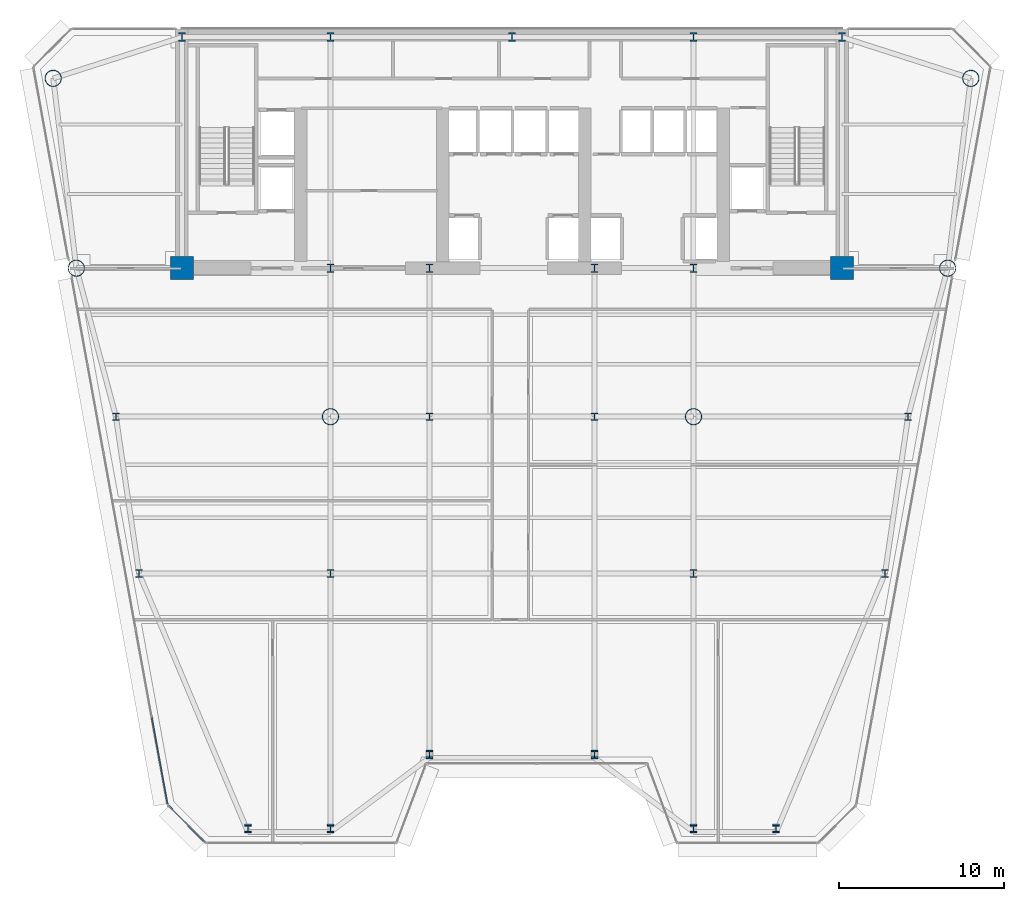
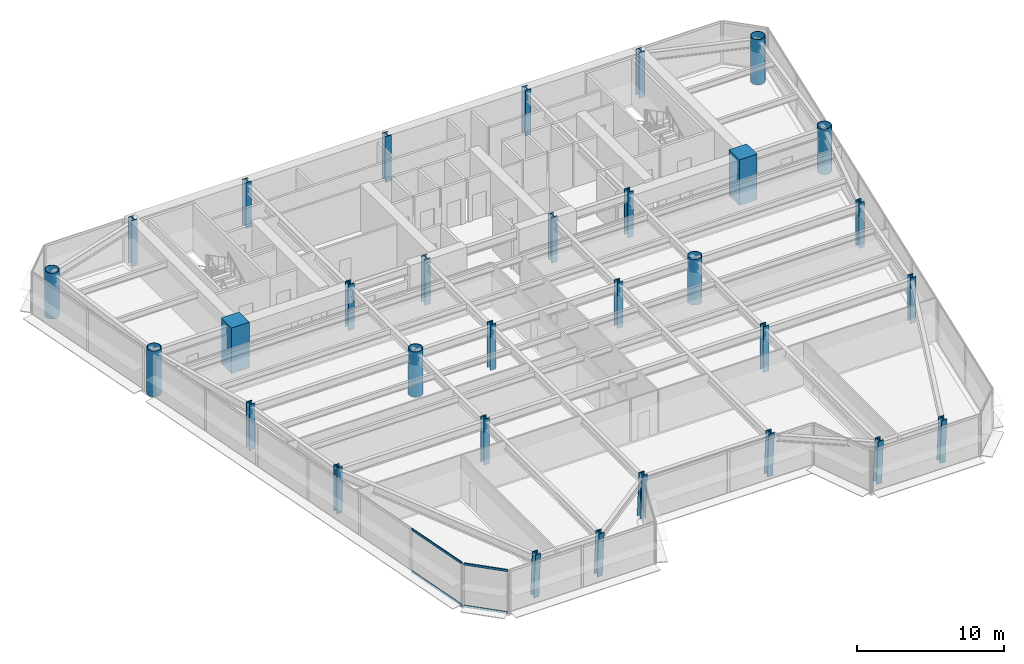
# One storey, part 1 of 14: 31 columns, 4 members, 2 elements without a shape of their own.
"""IFC4 building model written with IfcOpenShell, lengths in metres."""

from ifc_helpers import new_model, si_unit, direction, frame, origin, origin_2d, place, context, subcontext, project, spatial, rectangle, hollow_circle, i_section, extrude, source, transform, mapped, material, layer, layer_set, material_profile, profile_set, type_object, element, aggregate, save


model = new_model("IFC4")

# Units and contexts
model_context = context("Model", 3, precision=1e-05, world=origin(), true_north=direction((0.0, 1.0)))
body_context = subcontext(model_context, "Body", "Model", "MODEL_VIEW")
ifc_project = project(units=[si_unit("LENGTHUNIT", "METRE"), si_unit("AREAUNIT", "SQUARE_METRE"), si_unit("VOLUMEUNIT", "CUBIC_METRE"), si_unit("PLANEANGLEUNIT", "RADIAN"), si_unit("MASSUNIT", "GRAM", prefix="KILO")], contexts=[model_context])

# Site, building, storey
site_placement = place(None, origin())
site = spatial("IfcSite", under=ifc_project, at=site_placement, CompositionType="ELEMENT")
building_placement = place(site_placement, origin())
building = spatial("IfcBuilding", under=site, at=building_placement, Name="Vaeldorn Concourse Tower", CompositionType="ELEMENT")
storey_placement = place(building_placement, frame((0.0, 0.0, 118.60009765625)))
storey = spatial("IfcBuildingStorey", under=building, at=storey_placement, Name="L30", CompositionType="ELEMENT", Elevation=118.60009765625)

# Columns
ifc_material_1 = material(Name="Concrete C60/75", Category="concrete")
ifc_material_profile_1 = material_profile(ifc_material_1, rectangle(XDim=1.39990234375, YDim=1.39990234375, at=origin_2d()), Name="RC 1400x1400")
ifc_profile_set_1 = profile_set([ifc_material_profile_1], Name="Concrete C60/75")
column_type_1 = type_object("IfcColumnType", Name="COL-RC1400", PredefinedType="COLUMN", material=ifc_profile_set_1)
shared_shape_1 = source(origin(), body_context, "Body", "SweptSolid", [
    extrude(rectangle(XDim=1.39990234375, YDim=1.39990234375, at=origin_2d()), origin(), (0.0, 0.0, 1.0), 3.7998046875),
])
for number, where, z_axis, x_axis, name in (
    (1, (14.0, 36.5, 0.0), (0.0, 0.0, 1.0), (1.0, 0.0, 0.0), "Column C-FC1 L30"),
    (2, (54.0, 36.5, 0.0), (0.0, 0.0, 1.0), (1.0, 0.0, 0.0), "Column C-FC6 L30"),
):
    element("IfcColumn", number, at=place(storey_placement, frame(where, z_axis=z_axis, x_axis=x_axis)), inside=storey, type_object=column_type_1, Name=name, PredefinedType="COLUMN", context=body_context, shape_type="MappedRepresentation", body=[
        mapped(shared_shape_1, transform((0.0, 0.0, 0.0), scale=1.0)),
    ])
ifc_material_2 = material(Name="Steel S460", Category="steel")
ifc_material_profile_2 = material_profile(ifc_material_2, i_section(OverallWidth=0.44189453125, OverallDepth=0.531005859375, WebThickness=0.06494140625, FlangeThickness=0.075927734375, FilletRadius=0.014892578125, at=origin_2d()), Name="HD 400x900")
ifc_profile_set_2 = profile_set([ifc_material_profile_2], Name="Steel S460")
column_type_2 = type_object("IfcColumnType", Name="COL-HD900", PredefinedType="COLUMN", material=ifc_profile_set_2)
shared_shape_2 = source(origin(), body_context, "Body", "SweptSolid", [
    extrude(i_section(OverallWidth=0.44189453125, OverallDepth=0.531005859375, WebThickness=0.06494140625, FlangeThickness=0.075927734375, FilletRadius=0.014892578125, at=origin_2d()), origin(), (0.0, 0.0, 1.0), 3.7998046875),
])
for number, where, z_axis, x_axis, name in (
    (3, (23.0, 36.5, 0.0), (0.0, 0.0, 1.0), (1.0, 0.0, 0.0), "Column C-FC2 L30"),
    (4, (29.0, 36.5, 0.0), (0.0, 0.0, 1.0), (1.0, 0.0, 0.0), "Column C-FC3 L30"),
    (5, (39.0, 36.5, 0.0), (0.0, 0.0, 1.0), (1.0, 0.0, 0.0), "Column C-FC4 L30"),
    (6, (45.0, 36.5, 0.0), (0.0, 0.0, 1.0), (1.0, 0.0, 0.0), "Column C-FC5 L30"),
    (7, (14.0, 50.5, 0.0), (0.0, 0.0, 1.0), (1.0, 0.0, 0.0), "Column C-HC1 L30"),
    (8, (23.0, 50.5, 0.0), (0.0, 0.0, 1.0), (1.0, 0.0, 0.0), "Column C-HC2 L30"),
    (9, (34.0, 50.5, 0.0), (0.0, 0.0, 1.0), (1.0, 0.0, 0.0), "Column C-HC3 L30"),
    (10, (45.0, 50.5, 0.0), (0.0, 0.0, 1.0), (1.0, 0.0, 0.0), "Column C-HC4 L30"),
    (11, (54.0, 50.5, 0.0), (0.0, 0.0, 1.0), (1.0, 0.0, 0.0), "Column C-HC5 L30"),
):
    element("IfcColumn", number, at=place(storey_placement, frame(where, z_axis=z_axis, x_axis=x_axis)), inside=storey, type_object=column_type_2, Name=name, PredefinedType="COLUMN", context=body_context, shape_type="MappedRepresentation", body=[
        mapped(shared_shape_2, transform((0.0, 0.0, 0.0), scale=1.0)),
    ])
ifc_material_profile_3 = material_profile(ifc_material_2, hollow_circle(Radius=0.508056640625, WallThickness=0.044921875, at=origin_2d()), Name="CHS 1016x45")
ifc_profile_set_3 = profile_set([ifc_material_profile_3], Name="Steel S460")
column_type_3 = type_object("IfcColumnType", Name="COL-CHS1016", PredefinedType="COLUMN", material=ifc_profile_set_3)
shared_shape_3 = source(origin(), body_context, "Body", "SweptSolid", [
    extrude(hollow_circle(Radius=0.508056640625, WallThickness=0.044921875, at=origin_2d()), origin(), (0.0, 0.0, 1.0), 3.7998046875),
])
for number, where, z_axis, x_axis, name in (
    (12, (6.199951171875, 48.0, 0.0), (0.0, 0.0, 1.0), (1.0, 0.0, 0.0), "Column C-NW1 L30"),
    (13, (7.60009765625, 36.5, 0.0), (0.0, 0.0, 1.0), (1.0, 0.0, 0.0), "Column C-NW2 L30"),
    (14, (61.800048828125, 48.0, 0.0), (0.0, 0.0, 1.0), (1.0, 0.0, 0.0), "Column C-NE1 L30"),
    (15, (60.39990234375, 36.5, 0.0), (0.0, 0.0, 1.0), (1.0, 0.0, 0.0), "Column C-NE2 L30"),
    (16, (23.0, 27.5, 0.0), (0.0, 0.0, 1.0), (1.0, 0.0, 0.0), "Column C-TW1 L30"),
    (17, (45.0, 27.5, 0.0), (0.0, 0.0, 1.0), (1.0, 0.0, 0.0), "Column C-TW4 L30"),
):
    element("IfcColumn", number, at=place(storey_placement, frame(where, z_axis=z_axis, x_axis=x_axis)), inside=storey, type_object=column_type_3, Name=name, PredefinedType="COLUMN", context=body_context, shape_type="MappedRepresentation", body=[
        mapped(shared_shape_3, transform((0.0, 0.0, 0.0), scale=1.0)),
    ])
ifc_material_profile_4 = material_profile(ifc_material_2, i_section(OverallWidth=0.424072265625, OverallDepth=0.47412109375, WebThickness=0.047119140625, FlangeThickness=0.06494140625, FilletRadius=0.014892578125, at=origin_2d()), Name="HD 400x634")
ifc_profile_set_4 = profile_set([ifc_material_profile_4], Name="Steel S460")
column_type_4 = type_object("IfcColumnType", Name="COL-HD634F", PredefinedType="COLUMN", material=ifc_profile_set_4)
shared_shape_4 = source(origin(), body_context, "Body", "SweptSolid", [
    extrude(i_section(OverallWidth=0.424072265625, OverallDepth=0.47412109375, WebThickness=0.047119140625, FlangeThickness=0.06494140625, FilletRadius=0.014892578125, at=origin_2d()), origin(), (0.0, 0.0, 1.0), 3.7998046875),
])
for number, where, z_axis, x_axis, name in (
    (18, (10.0, 27.5, 0.0), (0.0, 0.0, 1.0), (1.0, 0.0, 0.0), "Column C-FLW1 L30"),
    (19, (11.39990234375, 18.0, 0.0), (0.0, 0.0, 1.0), (1.0, 0.0, 0.0), "Column C-FLW2 L30"),
    (20, (58.0, 27.5, 0.0), (0.0, 0.0, 1.0), (1.0, 0.0, 0.0), "Column C-FLE1 L30"),
    (21, (56.60009765625, 18.0, 0.0), (0.0, 0.0, 1.0), (1.0, 0.0, 0.0), "Column C-FLE2 L30"),
):
    element("IfcColumn", number, at=place(storey_placement, frame(where, z_axis=z_axis, x_axis=x_axis)), inside=storey, type_object=column_type_4, Name=name, PredefinedType="COLUMN", context=body_context, shape_type="MappedRepresentation", body=[
        mapped(shared_shape_4, transform((0.0, 0.0, 0.0), scale=1.0)),
    ])
ifc_material_profile_5 = material_profile(ifc_material_2, i_section(OverallWidth=0.424072265625, OverallDepth=0.47412109375, WebThickness=0.047119140625, FlangeThickness=0.06494140625, FilletRadius=0.014892578125, at=origin_2d()), Name="HD 400x634")
ifc_profile_set_5 = profile_set([ifc_material_profile_5], Name="Steel S460")
column_type_5 = type_object("IfcColumnType", Name="COL-HD634T", PredefinedType="COLUMN", material=ifc_profile_set_5)
shared_shape_5 = source(origin(), body_context, "Body", "SweptSolid", [
    extrude(i_section(OverallWidth=0.424072265625, OverallDepth=0.47412109375, WebThickness=0.047119140625, FlangeThickness=0.06494140625, FilletRadius=0.014892578125, at=origin_2d()), origin(), (0.0, 0.0, 1.0), 3.7998046875),
])
for number, where, z_axis, x_axis, name in (
    (22, (29.0, 27.5, 0.0), (0.0, 0.0, 1.0), (1.0, 0.0, 0.0), "Column C-TW2 L30"),
    (23, (39.0, 27.5, 0.0), (0.0, 0.0, 1.0), (1.0, 0.0, 0.0), "Column C-TW3 L30"),
    (24, (23.0, 18.0, 0.0), (0.0, 0.0, 1.0), (1.0, 0.0, 0.0), "Column C-TW5 L30"),
    (25, (45.0, 18.0, 0.0), (0.0, 0.0, 1.0), (1.0, 0.0, 0.0), "Column C-TW6 L30"),
):
    element("IfcColumn", number, at=place(storey_placement, frame(where, z_axis=z_axis, x_axis=x_axis)), inside=storey, type_object=column_type_5, Name=name, PredefinedType="COLUMN", context=body_context, shape_type="MappedRepresentation", body=[
        mapped(shared_shape_5, transform((0.0, 0.0, 0.0), scale=1.0)),
    ])
shared_shape_6 = source(origin(), body_context, "Body", "SweptSolid", [
    extrude(i_section(OverallWidth=0.424072265625, OverallDepth=0.47412109375, WebThickness=0.047119140625, FlangeThickness=0.06494140625, FilletRadius=0.014892578125, at=origin_2d()), origin(), (0.0, 0.0, 1.0), 3.743408203125),
])
for number, where, z_axis, x_axis, name in (
    (26, (18.0, 2.573486328125, 0.031982421875), (0.0, -0.06384802516, 0.997959633293), (1.0, 0.0, 0.0), "Column C-SF1 L30"),
    (27, (23.0, 2.573486328125, 0.031982421875), (0.0, -0.06384802516, 0.997959633293), (1.0, 0.0, 0.0), "Column C-SF2 L30"),
    (28, (29.0, 7.073486328125, 0.031982421875), (0.0, -0.06384802516, 0.997959633293), (1.0, 0.0, 0.0), "Column C-SF3 L30"),
    (29, (39.0, 7.073486328125, 0.031982421875), (0.0, -0.06384802516, 0.997959633293), (1.0, 0.0, 0.0), "Column C-SF4 L30"),
    (30, (45.0, 2.573486328125, 0.031982421875), (0.0, -0.06384802516, 0.997959633293), (1.0, 0.0, 0.0), "Column C-SF5 L30"),
    (31, (50.0, 2.573486328125, 0.031982421875), (0.0, -0.06384802516, 0.997959633293), (1.0, 0.0, 0.0), "Column C-SF6 L30"),
):
    element("IfcColumn", number, at=place(storey_placement, frame(where, z_axis=z_axis, x_axis=x_axis)), inside=storey, type_object=column_type_5, Name=name, PredefinedType="COLUMN", context=body_context, shape_type="MappedRepresentation", body=[
        mapped(shared_shape_6, transform((0.0, 0.0, 0.0), scale=1.0)),
    ])

# Curtain wall, members
ifc_material_3 = material(Name="Anodised Bronze Aluminium", Category="aluminium")
ifc_layer = layer(ifc_material_3, 0.199951171875)
ifc_layer_set = layer_set([ifc_layer], Name="Anodised Bronze Aluminium")
curtain_wall_type = type_object("IfcCurtainWallType", Name="CW-SYS-02", PredefinedType="NOTDEFINED", material=ifc_layer_set)
curtain_wall_1_placement = place(storey_placement, origin())
curtain_wall_1 = element("IfcCurtainWall", 32, at=curtain_wall_1_placement, inside=storey, type_object=curtain_wall_type, Name="Unitised Curtain Wall CW-L30-E12-1", PredefinedType="NOTDEFINED")
ifc_material_profile_6 = material_profile(ifc_material_3, rectangle(XDim=0.074951171875, YDim=0.179931640625, at=origin_2d()), Name="CWT 75x180")
ifc_profile_set_6 = profile_set([ifc_material_profile_6], Name="Anodised Bronze Aluminium")
member_type = type_object("IfcMemberType", Name="CWT-BRONZE-180", PredefinedType="USERDEFINED", material=ifc_profile_set_6)
shared_shape_7 = source(origin(), body_context, "Body", "SweptSolid", [
    extrude(rectangle(XDim=0.074951171875, YDim=0.179931640625, at=origin_2d()), origin(), (0.0, 0.0, 1.0), 3.102783203125),
])
member_1_placement = place(storey_placement, frame((13.19189453125, 3.92041015625, 0.037353515625), z_axis=(0.707146122816, -0.707067437368, 0.0), x_axis=(0.707067437368, 0.707146122816, 0.0)))
member_1 = element("IfcMember", 33, at=member_1_placement, type_object=member_type, Name="CW-02 transom 1.1", ObjectType="TRANSOM", PredefinedType="USERDEFINED", context=body_context, shape_type="MappedRepresentation", body=[
    mapped(shared_shape_7, transform((0.0, 0.0, 0.0), scale=1.0)),
])
member_2_placement = place(storey_placement, frame((13.19189453125, 3.92041015625, 3.54248046875), z_axis=(0.707146122816, -0.707067437368, 0.0), x_axis=(0.707067437368, 0.707146122816, 0.0)))
member_2 = element("IfcMember", 34, at=member_2_placement, type_object=member_type, Name="CW-02 transom 1.2", ObjectType="TRANSOM", PredefinedType="USERDEFINED", context=body_context, shape_type="MappedRepresentation", body=[
    mapped(shared_shape_7, transform((0.0, 0.0, 0.0), scale=1.0)),
])
aggregate(curtain_wall_1, [member_1, member_2])

curtain_wall_2_placement = place(storey_placement, origin())
curtain_wall_2 = element("IfcCurtainWall", 35, at=curtain_wall_2_placement, inside=storey, type_object=curtain_wall_type, Name="Unitised Curtain Wall CW-L30-E11-2", PredefinedType="NOTDEFINED")
shared_shape_8 = source(origin(), body_context, "Body", "SweptSolid", [
    extrude(rectangle(XDim=0.074951171875, YDim=0.179931640625, at=origin_2d()), origin(), (0.0, 0.0, 1.0), 5.3095703125),
])
member_3_placement = place(storey_placement, frame((12.1748046875, 9.271240234375, 0.037353515625), z_axis=(0.179047286434, -0.983840469396, 0.0), x_axis=(0.983840469396, 0.179047286434, 0.0)))
member_3 = element("IfcMember", 36, at=member_3_placement, type_object=member_type, Name="CW-02 transom 6.1", ObjectType="TRANSOM", PredefinedType="USERDEFINED", context=body_context, shape_type="MappedRepresentation", body=[
    mapped(shared_shape_8, transform((0.0, 0.0, 0.0), scale=1.0)),
])
member_4_placement = place(storey_placement, frame((12.1748046875, 9.271240234375, 3.54248046875), z_axis=(0.179047286434, -0.983840469396, 0.0), x_axis=(0.983840469396, 0.179047286434, 0.0)))
member_4 = element("IfcMember", 37, at=member_4_placement, type_object=member_type, Name="CW-02 transom 6.2", ObjectType="TRANSOM", PredefinedType="USERDEFINED", context=body_context, shape_type="MappedRepresentation", body=[
    mapped(shared_shape_8, transform((0.0, 0.0, 0.0), scale=1.0)),
])
aggregate(curtain_wall_2, [member_3, member_4])

save(model, "model.ifc")
